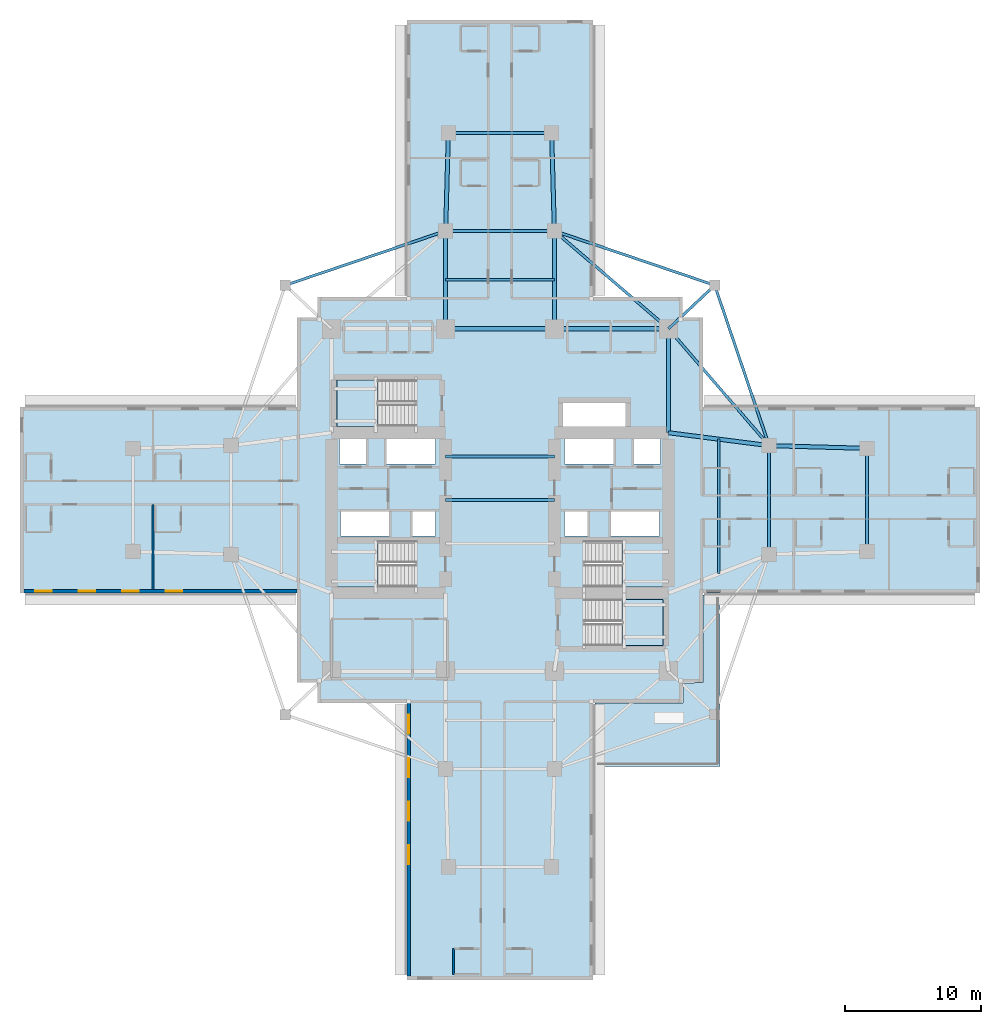
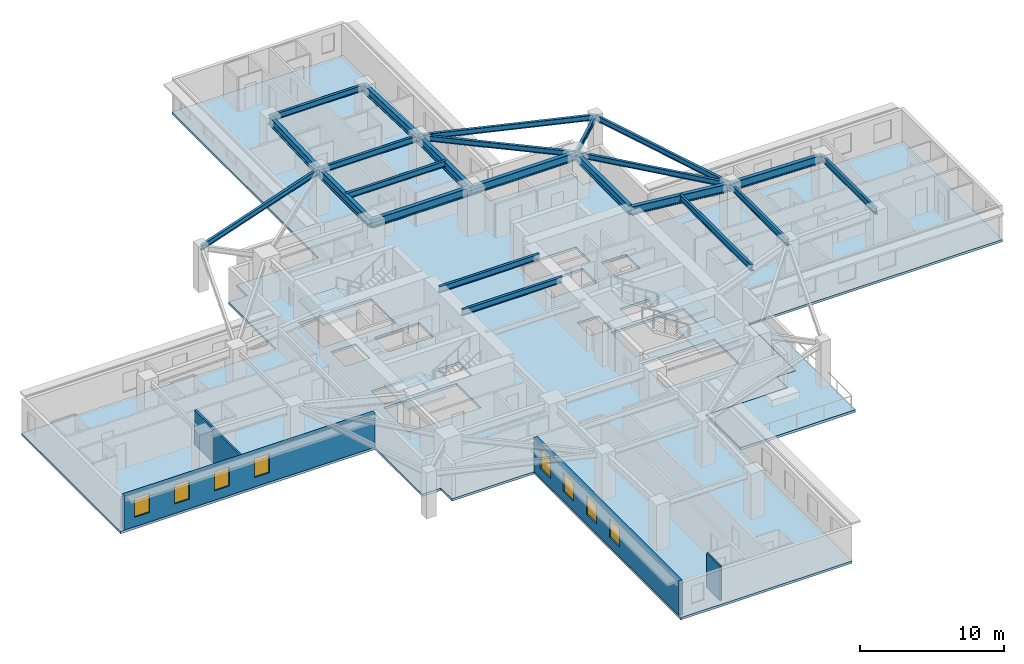
# One storey, part 2 of 13: 23 beams, 8 windows, 6 slabs, 4 walls, 8 openings, 4 elements without a shape of their own.
"""IFC4 building model written with IfcOpenShell, lengths in metres."""

from ifc_helpers import new_model, si_unit, direction, frame, frame_2d, origin, origin_2d, place, context, subcontext, project, spatial, polyline, rectangle, i_section, outline, extrude, material, layer, layer_set, material_profile, profile_set, type_object, element, fill, aggregate, save


model = new_model("IFC4")

# Units and contexts
model_context = context("Model", 3, precision=1e-05, world=origin(), true_north=direction((0.0, 1.0)))
body_context = subcontext(model_context, "Body", "Model", "MODEL_VIEW")
ifc_project = project(units=[si_unit("LENGTHUNIT", "METRE"), si_unit("AREAUNIT", "SQUARE_METRE"), si_unit("VOLUMEUNIT", "CUBIC_METRE"), si_unit("PLANEANGLEUNIT", "RADIAN"), si_unit("MASSUNIT", "GRAM", prefix="KILO")], contexts=[model_context])

# Site, building, storey
site_placement = place(None, origin())
site = spatial("IfcSite", under=ifc_project, at=site_placement, CompositionType="ELEMENT")
building_placement = place(site_placement, origin())
building = spatial("IfcBuilding", under=site, at=building_placement, Name="Qingluan Cross Belvedere", CompositionType="ELEMENT")
storey_placement = place(building_placement, frame((0.0, 0.0, 63.89990234375)))
storey = spatial("IfcBuildingStorey", under=building, at=storey_placement, Name="L16", CompositionType="ELEMENT", Elevation=63.89990234375)

# Beams
ifc_material_1 = material(Name="Steel Q420GJB", Category="steel")
ifc_material_profile_1 = material_profile(ifc_material_1, i_section(OverallWidth=0.199951171875, OverallDepth=0.449951171875, WebThickness=0.009033203125, FlangeThickness=0.013916015625, FilletRadius=0.01611328125, at=origin_2d()), Name="HN450x200x9x14")
ifc_profile_set_1 = profile_set([ifc_material_profile_1], Name="Steel Q420GJB")
beam_type_1 = type_object("IfcBeamType", Name="Steel_Beam_HN450x200x9x14", PredefinedType="JOIST", material=ifc_profile_set_1)
beam_1_placement = place(storey_placement, frame((12.39990234375, 12.60009765625, 3.47509765625), z_axis=(0.728219948308, 0.685343495546, 0.0), x_axis=(-0.685343495546, 0.728219948308, 0.0)))
element("IfcBeam", 1, at=beam_1_placement, inside=storey, type_object=beam_type_1, Name="Corner beam 1 L16-RNE", PredefinedType="JOIST", context=body_context, shape_type="SweptSolid", body=[
    extrude(i_section(OverallWidth=0.199951171875, OverallDepth=0.449951171875, WebThickness=0.009033203125, FlangeThickness=0.013916015625, FilletRadius=0.01611328125, at=origin_2d()), origin(), (0.0, 0.0, 1.0), 4.669189453125),
])
for number, where, z_axis, x_axis, name in (
    (2, (15.800048828125, 15.800048828125, 3.47509765625), (-0.947066283324, 0.321038089628, 0.0), (-0.321038089628, -0.947066283324, 0.0), "Corner beam 2 L16-RNE"),
    (3, (15.800048828125, 15.800048828125, 3.47509765625), (0.321038089628, -0.947066283324, 0.0), (0.947066283324, 0.321038089628, 0.0), "Corner beam 3 L16-RNE"),
):
    element("IfcBeam", number, at=place(storey_placement, frame(where, z_axis=z_axis, x_axis=x_axis)), inside=storey, type_object=beam_type_1, Name=name, PredefinedType="JOIST", context=body_context, shape_type="SweptSolid", body=[
        extrude(i_section(OverallWidth=0.199951171875, OverallDepth=0.449951171875, WebThickness=0.009033203125, FlangeThickness=0.013916015625, FilletRadius=0.01611328125, at=origin_2d()), origin(), (0.0, 0.0, 1.0), 12.45947265625),
    ])
beam_2_placement = place(storey_placement, frame((12.39990234375, 12.60009765625, 3.47509765625), z_axis=(0.652245077546, -0.75800815221, 0.0), x_axis=(0.75800815221, 0.652245077546, 0.0)))
element("IfcBeam", 4, at=beam_2_placement, inside=storey, type_object=beam_type_1, Name="Corner beam 4 L16-RNE", PredefinedType="JOIST", context=body_context, shape_type="SweptSolid", body=[
    extrude(i_section(OverallWidth=0.199951171875, OverallDepth=0.449951171875, WebThickness=0.009033203125, FlangeThickness=0.013916015625, FilletRadius=0.01611328125, at=origin_2d()), origin(), (0.0, 0.0, 1.0), 11.345703125),
])
beam_3_placement = place(storey_placement, frame((12.39990234375, 12.60009765625, 3.47509765625), z_axis=(-0.759255044656, 0.650793190779, 0.0), x_axis=(-0.650793190779, -0.759255044656, 0.0)))
element("IfcBeam", 5, at=beam_3_placement, inside=storey, type_object=beam_type_1, Name="Corner beam 5 L16-RNE", PredefinedType="JOIST", context=body_context, shape_type="SweptSolid", body=[
    extrude(i_section(OverallWidth=0.199951171875, OverallDepth=0.449951171875, WebThickness=0.009033203125, FlangeThickness=0.013916015625, FilletRadius=0.01611328125, at=origin_2d()), origin(), (0.0, 0.0, 1.0), 11.063232421875),
])
beam_4_placement = place(storey_placement, frame((-15.800048828125, 15.800048828125, 3.47509765625), z_axis=(0.947066283324, 0.321038089628, 0.0), x_axis=(-0.321038089628, 0.947066283324, 0.0)))
element("IfcBeam", 6, at=beam_4_placement, inside=storey, type_object=beam_type_1, Name="Corner beam 2 L16-RNW", PredefinedType="JOIST", context=body_context, shape_type="SweptSolid", body=[
    extrude(i_section(OverallWidth=0.199951171875, OverallDepth=0.449951171875, WebThickness=0.009033203125, FlangeThickness=0.013916015625, FilletRadius=0.01611328125, at=origin_2d()), origin(), (0.0, 0.0, 1.0), 12.45947265625),
])
ifc_material_2 = material(Name="Steel Q420GJB", Category="steel")
ifc_material_profile_2 = material_profile(ifc_material_2, i_section(OverallWidth=0.199951171875, OverallDepth=0.5, WebThickness=0.010009765625, FlangeThickness=0.01611328125, FilletRadius=0.01611328125, at=origin_2d()), Name="HN500x200x10x16")
ifc_profile_set_2 = profile_set([ifc_material_profile_2], Name="Steel Q420GJB")
beam_type_2 = type_object("IfcBeamType", Name="Steel_Beam_HN500x200x10x16", PredefinedType="JOIST", material=ifc_profile_set_2)
for number, where, z_axis, x_axis, name in (
    (7, (-4.0, 0.0, 3.4501953125), (1.0, 0.0, 0.0), (0.0, 1.0, 0.0), "Hall beam L16-CH2"),
    (8, (-4.0, 3.199951171875, 3.4501953125), (1.0, 0.0, 0.0), (0.0, 1.0, 0.0), "Hall beam L16-CH3"),
    (9, (19.800048828125, -4.0, 3.4501953125), (0.0, 1.0, 0.0), (-1.0, 0.0, 0.0), "Arm E tie L16"),
):
    element("IfcBeam", number, at=place(storey_placement, frame(where, z_axis=z_axis, x_axis=x_axis)), inside=storey, type_object=beam_type_2, Name=name, PredefinedType="JOIST", context=body_context, shape_type="SweptSolid", body=[
        extrude(i_section(OverallWidth=0.199951171875, OverallDepth=0.5, WebThickness=0.010009765625, FlangeThickness=0.01611328125, FilletRadius=0.01611328125, at=origin_2d()), origin(), (0.0, 0.0, 1.0), 8.0),
    ])
beam_5_placement = place(storey_placement, frame((16.10009765625, -5.425048828125, 3.4501953125), z_axis=(0.0, 1.0, 0.0), x_axis=(-1.0, 0.0, 0.0)))
element("IfcBeam", 10, at=beam_5_placement, inside=storey, type_object=beam_type_2, Name="Arm E beam L16", PredefinedType="JOIST", context=body_context, shape_type="SweptSolid", body=[
    extrude(i_section(OverallWidth=0.199951171875, OverallDepth=0.5, WebThickness=0.010009765625, FlangeThickness=0.01611328125, FilletRadius=0.01611328125, at=origin_2d()), origin(), (0.0, 0.0, 1.0), 9.900146484375),
])
beam_6_placement = place(storey_placement, frame((27.0, -3.800048828125, 3.4501953125), z_axis=(0.0, 1.0, 0.0), x_axis=(-1.0, 0.0, 0.0)))
element("IfcBeam", 11, at=beam_6_placement, inside=storey, type_object=beam_type_2, Name="Arm E tip transverse beam L16", PredefinedType="JOIST", context=body_context, shape_type="SweptSolid", body=[
    extrude(i_section(OverallWidth=0.199951171875, OverallDepth=0.5, WebThickness=0.010009765625, FlangeThickness=0.01611328125, FilletRadius=0.01611328125, at=origin_2d()), origin(), (0.0, 0.0, 1.0), 7.60009765625),
])
for number, where, z_axis, x_axis, name in (
    (12, (-4.0, 19.800048828125, 3.4501953125), (1.0, 0.0, 0.0), (0.0, 1.0, 0.0), "Arm N tie L16"),
    (13, (-4.0, 16.199951171875, 3.4501953125), (1.0, 0.0, 0.0), (0.0, 1.0, 0.0), "Arm N beam L16"),
):
    element("IfcBeam", number, at=place(storey_placement, frame(where, z_axis=z_axis, x_axis=x_axis)), inside=storey, type_object=beam_type_2, Name=name, PredefinedType="JOIST", context=body_context, shape_type="SweptSolid", body=[
        extrude(i_section(OverallWidth=0.199951171875, OverallDepth=0.5, WebThickness=0.010009765625, FlangeThickness=0.01611328125, FilletRadius=0.01611328125, at=origin_2d()), origin(), (0.0, 0.0, 1.0), 8.0),
    ])
beam_7_placement = place(storey_placement, frame((-3.800048828125, 27.0, 3.4501953125), z_axis=(1.0, 0.0, 0.0), x_axis=(0.0, 1.0, 0.0)))
element("IfcBeam", 14, at=beam_7_placement, inside=storey, type_object=beam_type_2, Name="Arm N tip transverse beam L16", PredefinedType="JOIST", context=body_context, shape_type="SweptSolid", body=[
    extrude(i_section(OverallWidth=0.199951171875, OverallDepth=0.5, WebThickness=0.010009765625, FlangeThickness=0.01611328125, FilletRadius=0.01611328125, at=origin_2d()), origin(), (0.0, 0.0, 1.0), 7.60009765625),
])
ifc_material_3 = material(Name="Steel Q420GJB", Category="steel")
ifc_material_profile_3 = material_profile(ifc_material_3, i_section(OverallWidth=0.300048828125, OverallDepth=0.699951171875, WebThickness=0.014892578125, FlangeThickness=0.027099609375, FilletRadius=0.027099609375, at=origin_2d()), Name="HEB700")
ifc_profile_set_3 = profile_set([ifc_material_profile_3], Name="Steel Q420GJB")
beam_type_3 = type_object("IfcBeamType", Name="Steel_Girder_HEB700", PredefinedType="USERDEFINED", material=ifc_profile_set_3)
beam_8_placement = place(storey_placement, frame((-4.0, 12.60009765625, 3.35009765625), z_axis=(1.0, 0.0, 0.0), x_axis=(0.0, 1.0, 0.0)))
element("IfcBeam", 15, at=beam_8_placement, inside=storey, type_object=beam_type_3, Name="Hub girder L16-HG-N2", ObjectType="GIRDER", PredefinedType="USERDEFINED", context=body_context, shape_type="SweptSolid", body=[
    extrude(i_section(OverallWidth=0.300048828125, OverallDepth=0.699951171875, WebThickness=0.014892578125, FlangeThickness=0.027099609375, FilletRadius=0.027099609375, at=origin_2d()), origin(), (0.0, 0.0, 1.0), 8.0),
])
beam_9_placement = place(storey_placement, frame((4.0, 12.60009765625, 3.35009765625), z_axis=(1.0, 0.0, 0.0), x_axis=(0.0, 1.0, 0.0)))
element("IfcBeam", 16, at=beam_9_placement, inside=storey, type_object=beam_type_3, Name="Hub girder L16-HG-N3", ObjectType="GIRDER", PredefinedType="USERDEFINED", context=body_context, shape_type="SweptSolid", body=[
    extrude(i_section(OverallWidth=0.300048828125, OverallDepth=0.699951171875, WebThickness=0.014892578125, FlangeThickness=0.027099609375, FilletRadius=0.027099609375, at=origin_2d()), origin(), (0.0, 0.0, 1.0), 8.39990234375),
])
beam_10_placement = place(storey_placement, frame((12.39990234375, 4.949951171875, 3.35009765625), z_axis=(0.0, 1.0, 0.0), x_axis=(-1.0, 0.0, 0.0)))
element("IfcBeam", 17, at=beam_10_placement, inside=storey, type_object=beam_type_3, Name="Hub girder L16-HG-E2", ObjectType="GIRDER", PredefinedType="USERDEFINED", context=body_context, shape_type="SweptSolid", body=[
    extrude(i_section(OverallWidth=0.300048828125, OverallDepth=0.699951171875, WebThickness=0.014892578125, FlangeThickness=0.027099609375, FilletRadius=0.027099609375, at=origin_2d()), origin(), (0.0, 0.0, 1.0), 7.650146484375),
])
beam_11_placement = place(storey_placement, frame((12.39990234375, 4.949951171875, 3.35009765625), z_axis=(0.991861120628, -0.12732445714, 0.0), x_axis=(0.12732445714, 0.991861120628, 0.0)))
element("IfcBeam", 18, at=beam_11_placement, inside=storey, type_object=beam_type_3, Name="Arm E radial girder B L16", ObjectType="GIRDER", PredefinedType="USERDEFINED", context=body_context, shape_type="SweptSolid", body=[
    extrude(i_section(OverallWidth=0.300048828125, OverallDepth=0.699951171875, WebThickness=0.014892578125, FlangeThickness=0.027099609375, FilletRadius=0.027099609375, at=origin_2d()), origin(), (0.0, 0.0, 1.0), 7.4609375),
])
beam_12_placement = place(storey_placement, frame((19.800048828125, 4.0, 3.35009765625), z_axis=(0.999614603568, -0.027760481514, 0.0), x_axis=(0.027760481514, 0.999614603568, 0.0)))
element("IfcBeam", 19, at=beam_12_placement, inside=storey, type_object=beam_type_3, Name="Arm E outer radial girder B L16", ObjectType="GIRDER", PredefinedType="USERDEFINED", context=body_context, shape_type="SweptSolid", body=[
    extrude(i_section(OverallWidth=0.300048828125, OverallDepth=0.699951171875, WebThickness=0.014892578125, FlangeThickness=0.027099609375, FilletRadius=0.027099609375, at=origin_2d()), origin(), (0.0, 0.0, 1.0), 7.20263671875),
])
for number, where, z_axis, x_axis, name in (
    (20, (-4.0, 12.60009765625, 3.35009765625), (0.0, 1.0, 0.0), (-1.0, 0.0, 0.0), "Arm N radial girder A L16"),
    (21, (4.0, 12.60009765625, 3.35009765625), (0.0, 1.0, 0.0), (-1.0, 0.0, 0.0), "Arm N radial girder B L16"),
):
    element("IfcBeam", number, at=place(storey_placement, frame(where, z_axis=z_axis, x_axis=x_axis)), inside=storey, type_object=beam_type_3, Name=name, ObjectType="GIRDER", PredefinedType="USERDEFINED", context=body_context, shape_type="SweptSolid", body=[
        extrude(i_section(OverallWidth=0.300048828125, OverallDepth=0.699951171875, WebThickness=0.014892578125, FlangeThickness=0.027099609375, FilletRadius=0.027099609375, at=origin_2d()), origin(), (0.0, 0.0, 1.0), 7.199951171875),
    ])
for number, where, z_axis, x_axis, name in (
    (22, (-4.0, 19.800048828125, 3.35009765625), (0.027760481514, 0.999614603568, 0.0), (-0.999614603568, 0.027760481514, 0.0), "Arm N outer radial girder A L16"),
    (23, (4.0, 19.800048828125, 3.35009765625), (-0.027760481514, 0.999614603568, 0.0), (-0.999614603568, -0.027760481514, 0.0), "Arm N outer radial girder B L16"),
):
    element("IfcBeam", number, at=place(storey_placement, frame(where, z_axis=z_axis, x_axis=x_axis)), inside=storey, type_object=beam_type_3, Name=name, ObjectType="GIRDER", PredefinedType="USERDEFINED", context=body_context, shape_type="SweptSolid", body=[
        extrude(i_section(OverallWidth=0.300048828125, OverallDepth=0.699951171875, WebThickness=0.014892578125, FlangeThickness=0.027099609375, FilletRadius=0.027099609375, at=origin_2d()), origin(), (0.0, 0.0, 1.0), 7.20263671875),
    ])

# Slab
ifc_material_4 = material(Name="Concrete C40", Category="concrete")
ifc_layer_1 = layer(ifc_material_4, 0.199951171875, Name="FloorSlab_200")
ifc_layer_set_1 = layer_set([ifc_layer_1], Name="Concrete C40")
slab_type_1 = type_object("IfcSlabType", Name="FloorSlab_200", PredefinedType="FLOOR", material=ifc_layer_set_1)
slab_1_placement = place(storey_placement, frame((0.0, 0.0, -0.199951171875)))
element("IfcSlab", 24, at=slab_1_placement, inside=storey, type_object=slab_type_1, Name="Structural floor slab L16", PredefinedType="FLOOR", context=body_context, shape_type="SweptSolid", body=[
    extrude(outline(polyline([(6.860107421875, -35.320068359375), (6.860107421875, -14.93994140625), (13.43994140625, -14.93994140625), (13.43994140625, -13.43994140625), (14.93994140625, -13.43994140625), (14.93994140625, -6.860107421875), (35.320068359375, -6.860107421875), (35.320068359375, 6.860107421875), (14.93994140625, 6.860107421875), (14.93994140625, 13.43994140625), (13.43994140625, 13.43994140625), (13.43994140625, 14.93994140625), (6.860107421875, 14.93994140625), (6.860107421875, 35.320068359375), (-6.860107421875, 35.320068359375), (-6.860107421875, 14.93994140625), (-13.43994140625, 14.93994140625), (-13.43994140625, 13.43994140625), (-14.93994140625, 13.43994140625), (-14.93994140625, 6.860107421875), (-35.320068359375, 6.860107421875), (-35.320068359375, -6.860107421875), (-14.93994140625, -6.860107421875), (-14.93994140625, -13.43994140625), (-13.43994140625, -13.43994140625), (-13.43994140625, -14.93994140625), (-6.860107421875, -14.93994140625), (-6.860107421875, -35.320068359375), (6.860107421875, -35.320068359375)]), holes=[polyline([(-12.0, -3.0), (-6.179931640625, -3.0), (-6.179931640625, -6.39990234375), (-12.0, -6.39990234375), (-12.0, -3.0)]), polyline([(6.179931640625, -3.0), (12.0, -3.0), (12.0, -6.39990234375), (6.179931640625, -6.39990234375), (6.179931640625, -3.0)]), polyline([(-12.0, 8.820068359375), (-6.179931640625, 8.820068359375), (-6.179931640625, 5.419921875), (-12.0, 5.419921875), (-12.0, 8.820068359375)]), polyline([(6.179931640625, -7.320068359375), (12.0, -7.320068359375), (12.0, -10.719970703125), (6.179931640625, -10.719970703125), (6.179931640625, -7.320068359375)]), polyline([(-11.800048828125, 4.64990234375), (-9.85009765625, 4.64990234375), (-9.85009765625, 2.64990234375), (-11.800048828125, 2.64990234375), (-11.800048828125, 4.64990234375)]), polyline([(-8.35009765625, 4.64990234375), (-4.75, 4.64990234375), (-4.75, 2.64990234375), (-8.35009765625, 2.64990234375), (-8.35009765625, 4.64990234375)]), polyline([(4.75, 4.64990234375), (8.35009765625, 4.64990234375), (8.35009765625, 2.64990234375), (4.75, 2.64990234375), (4.75, 4.64990234375)]), polyline([(9.85009765625, 4.64990234375), (11.800048828125, 4.64990234375), (11.800048828125, 2.64990234375), (9.85009765625, 2.64990234375), (9.85009765625, 4.64990234375)]), polyline([(-11.75, -0.840087890625), (-8.14990234375, -0.840087890625), (-8.14990234375, -2.659912109375), (-11.75, -2.659912109375), (-11.75, -0.840087890625)]), polyline([(-6.449951171875, -0.840087890625), (-4.75, -0.840087890625), (-4.75, -2.659912109375), (-6.449951171875, -2.659912109375), (-6.449951171875, -0.840087890625)]), polyline([(4.75, -0.840087890625), (6.449951171875, -0.840087890625), (6.449951171875, -2.659912109375), (4.75, -2.659912109375), (4.75, -0.840087890625)]), polyline([(8.14990234375, -0.840087890625), (11.75, -0.840087890625), (11.75, -2.659912109375), (8.14990234375, -2.659912109375), (8.14990234375, -0.840087890625)]), polyline([(4.64990234375, 7.14990234375), (9.25, 7.14990234375), (9.25, 5.14990234375), (4.64990234375, 5.14990234375), (4.64990234375, 7.14990234375)])]), origin(), (0.0, 0.0, 1.0), 0.199951171875),
])

# Stair, slab
ifc_material_5 = material(Name="Concrete C40", Category="concrete")
stair_type = type_object("IfcStairType", Name="CoreDoglegStair_1620", PredefinedType="HALF_TURN_STAIR", material=ifc_material_5)
stair_1_placement = place(storey_placement, origin())
stair_1 = element("IfcStair", 25, at=stair_1_placement, inside=storey, type_object=stair_type, Name="L16 ST1", PredefinedType="HALF_TURN_STAIR")
ifc_material_6 = material(Name="Concrete C40", Category="concrete")
ifc_layer_2 = layer(ifc_material_6, 0.179931640625, Name="StairLandingSlab_180")
ifc_layer_set_2 = layer_set([ifc_layer_2], Name="Concrete C40")
slab_type_2 = type_object("IfcSlabType", Name="StairLandingSlab_180", PredefinedType="LANDING", material=ifc_layer_set_2)
slab_2_placement = place(storey_placement, frame((0.0, 0.0, 1.75)))
slab_2 = element("IfcSlab", 26, at=slab_2_placement, type_object=slab_type_2, Name="ST1 landing 1", PredefinedType="LANDING", context=body_context, shape_type="SweptSolid", body=[
    extrude(outline(polyline([(-8.97998046875, -3.0), (-12.0, -3.0), (-12.0, -6.39990234375), (-8.97998046875, -6.39990234375), (-8.97998046875, -3.0)])), origin(), (0.0, 0.0, 1.0), 0.2001953125),
])
aggregate(stair_1, [slab_2])

stair_2_placement = place(storey_placement, origin())
stair_2 = element("IfcStair", 27, at=stair_2_placement, inside=storey, type_object=stair_type, Name="L16 ST2", PredefinedType="HALF_TURN_STAIR")
slab_3_placement = place(storey_placement, frame((0.0, 0.0, 1.75)))
slab_3 = element("IfcSlab", 28, at=slab_3_placement, type_object=slab_type_2, Name="ST2 landing 1", PredefinedType="LANDING", context=body_context, shape_type="SweptSolid", body=[
    extrude(outline(polyline([(8.97998046875, -6.39990234375), (12.0, -6.39990234375), (12.0, -3.0), (8.97998046875, -3.0), (8.97998046875, -6.39990234375)])), origin(), (0.0, 0.0, 1.0), 0.2001953125),
])
aggregate(stair_2, [slab_3])

stair_3_placement = place(storey_placement, origin())
stair_3 = element("IfcStair", 29, at=stair_3_placement, inside=storey, type_object=stair_type, Name="L16 ST3", PredefinedType="HALF_TURN_STAIR")
slab_4_placement = place(storey_placement, frame((0.0, 0.0, 1.75)))
slab_4 = element("IfcSlab", 30, at=slab_4_placement, type_object=slab_type_2, Name="ST3 landing 1", PredefinedType="LANDING", context=body_context, shape_type="SweptSolid", body=[
    extrude(outline(polyline([(-8.97998046875, 8.820068359375), (-12.0, 8.820068359375), (-12.0, 5.419921875), (-8.97998046875, 5.419921875), (-8.97998046875, 8.820068359375)])), origin(), (0.0, 0.0, 1.0), 0.2001953125),
])
aggregate(stair_3, [slab_4])

stair_4_placement = place(storey_placement, origin())
stair_4 = element("IfcStair", 31, at=stair_4_placement, inside=storey, type_object=stair_type, Name="L16 ST4", PredefinedType="HALF_TURN_STAIR")
slab_5_placement = place(storey_placement, frame((0.0, 0.0, 1.75)))
slab_5 = element("IfcSlab", 32, at=slab_5_placement, type_object=slab_type_2, Name="ST4 landing 1", PredefinedType="LANDING", context=body_context, shape_type="SweptSolid", body=[
    extrude(outline(polyline([(8.97998046875, -10.719970703125), (12.0, -10.719970703125), (12.0, -7.320068359375), (8.97998046875, -7.320068359375), (8.97998046875, -10.719970703125)])), origin(), (0.0, 0.0, 1.0), 0.2001953125),
])
aggregate(stair_4, [slab_5])

# Slab
ifc_material_7 = material(Name="Concrete C40", Category="concrete")
ifc_layer_3 = layer(ifc_material_7, 0.219970703125, Name="TerraceSlab_220")
ifc_layer_set_3 = layer_set([ifc_layer_3], Name="Concrete C40")
slab_type_3 = type_object("IfcSlabType", Name="TerraceSlab_220", PredefinedType="FLOOR", material=ifc_layer_set_3)
slab_6_placement = place(storey_placement, frame((0.0, 0.0, -0.219970703125)))
element("IfcSlab", 33, at=slab_6_placement, inside=storey, type_object=slab_type_3, Name="Spiralling winter-garden terrace slab L16", PredefinedType="FLOOR", context=body_context, shape_type="SweptSolid", body=[
    extrude(outline(polyline([(14.949951171875, -7.0), (14.9482421875, -13.445556640625), (13.449951171875, -13.449951171875), (13.449951171875, -14.93994140625), (13.44189453125, -14.94970703125), (7.0, -14.949951171875), (7.0, -19.60009765625), (16.199951171875, -19.60009765625), (16.199951171875, -7.0), (14.949951171875, -7.0)])), origin(), (0.0, 0.0, 1.0), 0.219970703125),
])

# Walls
ifc_material_8 = material(Name="Gypsum plasterboard on steel stud acoustic partition", Category="steel")
ifc_layer_4 = layer(ifc_material_8, 0.159912109375, Name="CorridorPartition_160")
ifc_layer_set_4 = layer_set([ifc_layer_4], Name="Gypsum plasterboard on steel stud acoustic partition")
wall_type_1 = type_object("IfcWallType", Name="CorridorPartition_160", PredefinedType="PARTITIONING", material=ifc_layer_set_4)
wall_1_placement = place(storey_placement, frame((-25.52294921875, -0.320068359375, 0.0), z_axis=(0.0, 0.0, 1.0), x_axis=(0.0, -1.0, 0.0)))
element("IfcWall", 34, at=wall_1_placement, inside=storey, type_object=wall_type_1, Name="Partition L16:W:d1_0", PredefinedType="PARTITIONING", context=body_context, shape_type="SweptSolid", body=[
    extrude(rectangle(XDim=6.251953125, YDim=0.159912109375, at=frame_2d((3.1259765625, 0.0))), origin(), (0.0, 0.0, 1.0), 2.900146484375),
])
ifc_material_9 = material(Name="Moisture-resistant gypsum board lining")
ifc_layer_5 = layer(ifc_material_9, 0.1201171875, Name="EnsuiteWetPartition_120")
ifc_layer_set_5 = layer_set([ifc_layer_5], Name="Moisture-resistant gypsum board lining")
wall_type_2 = type_object("IfcWallType", Name="EnsuiteWetPartition_120", PredefinedType="PARTITIONING", material=ifc_layer_set_5)
wall_2_placement = place(storey_placement, frame((-3.425048828125, -33.02001953125, 0.0), z_axis=(0.0, 0.0, 1.0), x_axis=(0.0, -1.0, 0.0)))
element("IfcWall", 35, at=wall_2_placement, inside=storey, type_object=wall_type_2, Name="Partition L16:S:bc1_0", PredefinedType="PARTITIONING", context=body_context, shape_type="SweptSolid", body=[
    extrude(rectangle(XDim=1.8798828125, YDim=0.1201171875, at=frame_2d((0.93994140625, 0.0))), origin(), (0.0, 0.0, 1.0), 2.900146484375),
])

# Wall, openings, windows
ifc_material_10 = material(Name="Precast concrete C45", Category="concrete")
ifc_layer_6 = layer(ifc_material_10, 0.280029296875, Name="PrecastFacadeWall_280")
ifc_layer_set_6 = layer_set([ifc_layer_6], Name="Precast concrete C45")
wall_type_3 = type_object("IfcWallType", Name="PrecastFacadeWall_280", PredefinedType="STANDARD", material=ifc_layer_set_6)
wall_3_placement = place(storey_placement, frame((-35.0400390625, -6.719970703125, 0.0), z_axis=(0.0, 0.0, 1.0), x_axis=(1.0, 0.0, 0.0)))
wall_3 = element("IfcWall", 36, at=wall_3_placement, inside=storey, type_object=wall_type_3, Name="Facade wall L16-WB", PredefinedType="STANDARD", context=body_context, shape_type="SweptSolid", body=[
    extrude(rectangle(XDim=20.10009765625, YDim=0.280029296875, at=frame_2d((10.050048828125, 0.0))), origin(), (0.0, 0.0, 1.0), 2.91015625),
])
opening_1_placement = place(wall_3_placement, frame((0.85009765625, 0.0, 0.800048828125)))
opening_1 = element("IfcOpeningElement", 37, at=opening_1_placement, cuts=wall_3, Name="Opening W-02", PredefinedType="OPENING", context=body_context, shape_type="SweptSolid", body=[
    extrude(rectangle(XDim=1.199951171875, YDim=1.60009765625, at=frame_2d((0.60009765625, 0.800048828125))), frame((0.0, 0.14990234375, 0.0), z_axis=(0.0, -1.0, 0.0), x_axis=(1.0, 0.0, 0.0)), (0.0, 0.0, 1.0), 0.300048828125),
])
opening_2_placement = place(wall_3_placement, frame((4.050048828125, 0.0, 0.800048828125)))
opening_2 = element("IfcOpeningElement", 38, at=opening_2_placement, cuts=wall_3, Name="Opening W-02", PredefinedType="OPENING", context=body_context, shape_type="SweptSolid", body=[
    extrude(rectangle(XDim=1.199951171875, YDim=1.60009765625, at=frame_2d((0.60009765625, 0.800048828125))), frame((0.0, 0.14990234375, 0.0), z_axis=(0.0, -1.0, 0.0), x_axis=(1.0, 0.0, 0.0)), (0.0, 0.0, 1.0), 0.300048828125),
])
opening_3_placement = place(wall_3_placement, frame((7.25, 0.0, 0.800048828125)))
opening_3 = element("IfcOpeningElement", 39, at=opening_3_placement, cuts=wall_3, Name="Opening W-02", PredefinedType="OPENING", context=body_context, shape_type="SweptSolid", body=[
    extrude(rectangle(XDim=1.199951171875, YDim=1.60009765625, at=frame_2d((0.60009765625, 0.800048828125))), frame((0.0, 0.14990234375, 0.0), z_axis=(0.0, -1.0, 0.0), x_axis=(1.0, 0.0, 0.0)), (0.0, 0.0, 1.0), 0.300048828125),
])
opening_4_placement = place(wall_3_placement, frame((10.449951171875, 0.0, 0.800048828125)))
opening_4 = element("IfcOpeningElement", 40, at=opening_4_placement, cuts=wall_3, Name="Opening W-02", PredefinedType="OPENING", context=body_context, shape_type="SweptSolid", body=[
    extrude(rectangle(XDim=1.199951171875, YDim=1.60009765625, at=frame_2d((0.60009765625, 0.800048828125))), frame((0.0, 0.14990234375, 0.0), z_axis=(0.0, -1.0, 0.0), x_axis=(1.0, 0.0, 0.0)), (0.0, 0.0, 1.0), 0.300048828125),
])
ifc_material_11 = material(Name="Thermally broken triple Low-E glass in aluminium frame", Category="aluminium")
window_type_1 = type_object("IfcWindowType", Name="TriRibbonWin_1200x1600", PartitioningType="SINGLE_PANEL", PredefinedType="WINDOW", material=ifc_material_11)
window_1_placement = place(opening_1_placement, origin())
window_1 = element("IfcWindow", 41, at=window_1_placement, inside=storey, type_object=window_type_1, Name="Ribbon window L16-WB-1", OverallHeight=1.60009765625, OverallWidth=1.199951171875, PartitioningType="SINGLE_PANEL", PredefinedType="WINDOW", context=body_context, shape_type="SweptSolid", body=[
    extrude(rectangle(XDim=1.199951171875, YDim=1.60009765625, at=frame_2d((0.60009765625, 0.800048828125))), frame((0.0, 0.030029296875, 0.0), z_axis=(0.0, -1.0, 0.0), x_axis=(1.0, 0.0, 0.0)), (0.0, 0.0, 1.0), 0.06005859375),
])
fill(opening_1, window_1)
window_2_placement = place(opening_2_placement, origin())
window_2 = element("IfcWindow", 42, at=window_2_placement, inside=storey, type_object=window_type_1, Name="Ribbon window L16-WB-2", OverallHeight=1.60009765625, OverallWidth=1.199951171875, PartitioningType="SINGLE_PANEL", PredefinedType="WINDOW", context=body_context, shape_type="SweptSolid", body=[
    extrude(rectangle(XDim=1.199951171875, YDim=1.60009765625, at=frame_2d((0.60009765625, 0.800048828125))), frame((0.0, 0.030029296875, 0.0), z_axis=(0.0, -1.0, 0.0), x_axis=(1.0, 0.0, 0.0)), (0.0, 0.0, 1.0), 0.06005859375),
])
fill(opening_2, window_2)
window_3_placement = place(opening_3_placement, origin())
window_3 = element("IfcWindow", 43, at=window_3_placement, inside=storey, type_object=window_type_1, Name="Ribbon window L16-WB-3", OverallHeight=1.60009765625, OverallWidth=1.199951171875, PartitioningType="SINGLE_PANEL", PredefinedType="WINDOW", context=body_context, shape_type="SweptSolid", body=[
    extrude(rectangle(XDim=1.199951171875, YDim=1.60009765625, at=frame_2d((0.60009765625, 0.800048828125))), frame((0.0, 0.030029296875, 0.0), z_axis=(0.0, -1.0, 0.0), x_axis=(1.0, 0.0, 0.0)), (0.0, 0.0, 1.0), 0.06005859375),
])
fill(opening_3, window_3)
window_4_placement = place(opening_4_placement, origin())
window_4 = element("IfcWindow", 44, at=window_4_placement, inside=storey, type_object=window_type_1, Name="Ribbon window L16-WB-4", OverallHeight=1.60009765625, OverallWidth=1.199951171875, PartitioningType="SINGLE_PANEL", PredefinedType="WINDOW", context=body_context, shape_type="SweptSolid", body=[
    extrude(rectangle(XDim=1.199951171875, YDim=1.60009765625, at=frame_2d((0.60009765625, 0.800048828125))), frame((0.0, 0.030029296875, 0.0), z_axis=(0.0, -1.0, 0.0), x_axis=(1.0, 0.0, 0.0)), (0.0, 0.0, 1.0), 0.06005859375),
])
fill(opening_4, window_4)

wall_4_placement = place(storey_placement, frame((-6.719970703125, -14.93994140625, 0.0), z_axis=(0.0, 0.0, 1.0), x_axis=(0.0, -1.0, 0.0)))
wall_4 = element("IfcWall", 45, at=wall_4_placement, inside=storey, type_object=wall_type_3, Name="Facade wall L16-SA", PredefinedType="STANDARD", context=body_context, shape_type="SweptSolid", body=[
    extrude(rectangle(XDim=20.10009765625, YDim=0.280029296875, at=frame_2d((10.050048828125, 0.0))), origin(), (0.0, 0.0, 1.0), 2.91015625),
])
opening_5_placement = place(wall_4_placement, frame((0.85009765625, 0.0, 0.800048828125)))
opening_5 = element("IfcOpeningElement", 46, at=opening_5_placement, cuts=wall_4, Name="Opening W-01", PredefinedType="OPENING", context=body_context, shape_type="SweptSolid", body=[
    extrude(rectangle(XDim=1.39990234375, YDim=1.60009765625, at=frame_2d((0.699951171875, 0.800048828125))), frame((0.0, 0.14990234375, 0.0), z_axis=(0.0, -1.0, 0.0), x_axis=(1.0, 0.0, 0.0)), (0.0, 0.0, 1.0), 0.300048828125),
])
opening_6_placement = place(wall_4_placement, frame((4.050048828125, 0.0, 0.800048828125)))
opening_6 = element("IfcOpeningElement", 47, at=opening_6_placement, cuts=wall_4, Name="Opening W-01", PredefinedType="OPENING", context=body_context, shape_type="SweptSolid", body=[
    extrude(rectangle(XDim=1.39990234375, YDim=1.60009765625, at=frame_2d((0.699951171875, 0.800048828125))), frame((0.0, 0.14990234375, 0.0), z_axis=(0.0, -1.0, 0.0), x_axis=(1.0, 0.0, 0.0)), (0.0, 0.0, 1.0), 0.300048828125),
])
opening_7_placement = place(wall_4_placement, frame((7.25, 0.0, 0.800048828125)))
opening_7 = element("IfcOpeningElement", 48, at=opening_7_placement, cuts=wall_4, Name="Opening W-01", PredefinedType="OPENING", context=body_context, shape_type="SweptSolid", body=[
    extrude(rectangle(XDim=1.39990234375, YDim=1.60009765625, at=frame_2d((0.699951171875, 0.800048828125))), frame((0.0, 0.14990234375, 0.0), z_axis=(0.0, -1.0, 0.0), x_axis=(1.0, 0.0, 0.0)), (0.0, 0.0, 1.0), 0.300048828125),
])
opening_8_placement = place(wall_4_placement, frame((10.449951171875, 0.0, 0.800048828125)))
opening_8 = element("IfcOpeningElement", 49, at=opening_8_placement, cuts=wall_4, Name="Opening W-01", PredefinedType="OPENING", context=body_context, shape_type="SweptSolid", body=[
    extrude(rectangle(XDim=1.39990234375, YDim=1.60009765625, at=frame_2d((0.699951171875, 0.800048828125))), frame((0.0, 0.14990234375, 0.0), z_axis=(0.0, -1.0, 0.0), x_axis=(1.0, 0.0, 0.0)), (0.0, 0.0, 1.0), 0.300048828125),
])
ifc_material_12 = material(Name="Thermally broken triple Low-E glass in aluminium frame", Category="aluminium")
window_type_2 = type_object("IfcWindowType", Name="TriRibbonWin_1400x1600", PartitioningType="SINGLE_PANEL", PredefinedType="WINDOW", material=ifc_material_12)
window_5_placement = place(opening_5_placement, origin())
window_5 = element("IfcWindow", 50, at=window_5_placement, inside=storey, type_object=window_type_2, Name="Ribbon window L16-SA-1", OverallHeight=1.60009765625, OverallWidth=1.39990234375, PartitioningType="SINGLE_PANEL", PredefinedType="WINDOW", context=body_context, shape_type="SweptSolid", body=[
    extrude(rectangle(XDim=1.39990234375, YDim=1.60009765625, at=frame_2d((0.699951171875, 0.800048828125))), frame((0.0, 0.030029296875, 0.0), z_axis=(0.0, -1.0, 0.0), x_axis=(1.0, 0.0, 0.0)), (0.0, 0.0, 1.0), 0.06005859375),
])
fill(opening_5, window_5)
window_6_placement = place(opening_6_placement, origin())
window_6 = element("IfcWindow", 51, at=window_6_placement, inside=storey, type_object=window_type_2, Name="Ribbon window L16-SA-2", OverallHeight=1.60009765625, OverallWidth=1.39990234375, PartitioningType="SINGLE_PANEL", PredefinedType="WINDOW", context=body_context, shape_type="SweptSolid", body=[
    extrude(rectangle(XDim=1.39990234375, YDim=1.60009765625, at=frame_2d((0.699951171875, 0.800048828125))), frame((0.0, 0.030029296875, 0.0), z_axis=(0.0, -1.0, 0.0), x_axis=(1.0, 0.0, 0.0)), (0.0, 0.0, 1.0), 0.06005859375),
])
fill(opening_6, window_6)
window_7_placement = place(opening_7_placement, origin())
window_7 = element("IfcWindow", 52, at=window_7_placement, inside=storey, type_object=window_type_2, Name="Ribbon window L16-SA-3", OverallHeight=1.60009765625, OverallWidth=1.39990234375, PartitioningType="SINGLE_PANEL", PredefinedType="WINDOW", context=body_context, shape_type="SweptSolid", body=[
    extrude(rectangle(XDim=1.39990234375, YDim=1.60009765625, at=frame_2d((0.699951171875, 0.800048828125))), frame((0.0, 0.030029296875, 0.0), z_axis=(0.0, -1.0, 0.0), x_axis=(1.0, 0.0, 0.0)), (0.0, 0.0, 1.0), 0.06005859375),
])
fill(opening_7, window_7)
window_8_placement = place(opening_8_placement, origin())
window_8 = element("IfcWindow", 53, at=window_8_placement, inside=storey, type_object=window_type_2, Name="Ribbon window L16-SA-4", OverallHeight=1.60009765625, OverallWidth=1.39990234375, PartitioningType="SINGLE_PANEL", PredefinedType="WINDOW", context=body_context, shape_type="SweptSolid", body=[
    extrude(rectangle(XDim=1.39990234375, YDim=1.60009765625, at=frame_2d((0.699951171875, 0.800048828125))), frame((0.0, 0.030029296875, 0.0), z_axis=(0.0, -1.0, 0.0), x_axis=(1.0, 0.0, 0.0)), (0.0, 0.0, 1.0), 0.06005859375),
])
fill(opening_8, window_8)

save(model, "model.ifc")
